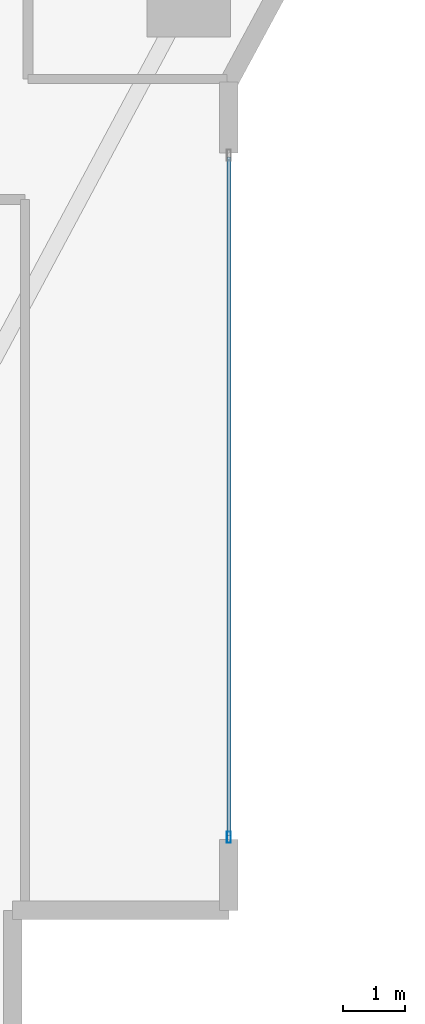
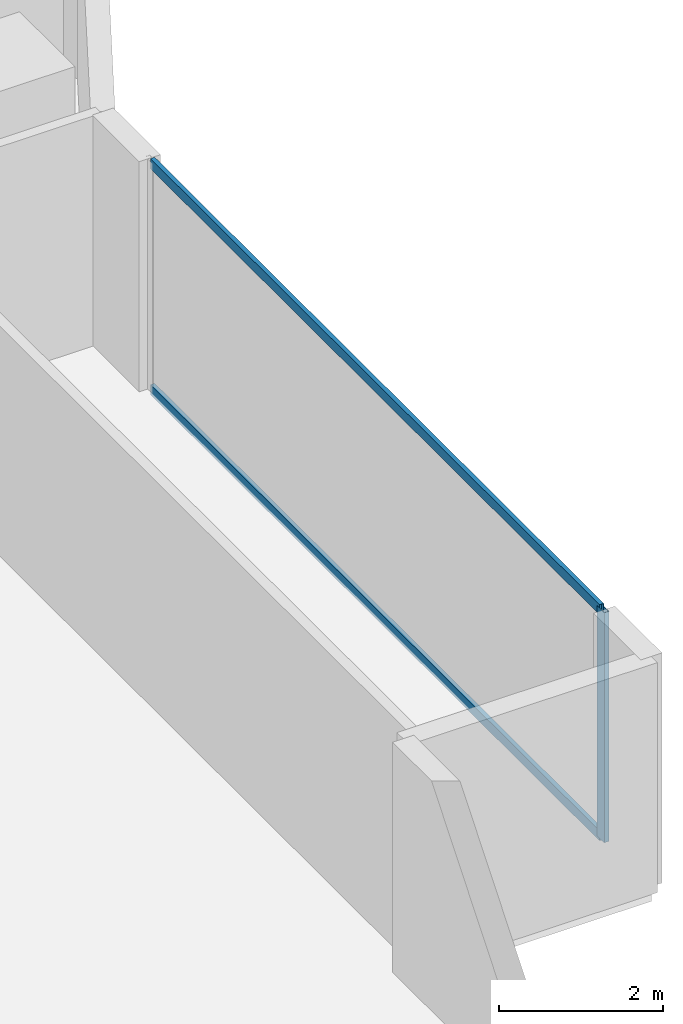
# One storey, part 11 of 28: 3 members, 1 element without a shape of its own.
"""IFC4 building model written with IfcOpenShell, lengths in metres."""

import ifcopenshell
import ifcopenshell.guid

model = None  # the IFC model being written
_history = None  # IfcOwnerHistory: only IFC2X3 demands one
_inside = {}  # id of a spatial element -> (the spatial element, [elements in it])
_under = {}  # id of a project, library or spatial element -> (it, [spatial elements below it])
_declared = {}  # id of a project -> (the project, [libraries it declares])
_typed = {}  # id of a type object -> (the type object, [elements of that type])
_made_of = {}  # id of a material, layer set ... -> (it, [elements and type objects made of it])


def new_model(schema):
    """Start an empty IFC model of exactly this schema.

    Asked for "IFC4X3", IfcOpenShell would pick the latest addendum, in which some entities
    have other attributes; the version numbers below select the first issue.
    IFC2X3 requires an IfcOwnerHistory on every rooted entity: one is made here for all.
    """
    global model, _history
    if schema == "IFC4X3":
        model = ifcopenshell.file(schema_version=(4, 3, 0, 0))
    else:
        model = ifcopenshell.file(schema=schema)
    _inside.clear()
    _under.clear()
    _declared.clear()
    _typed.clear()
    _made_of.clear()
    _history = None
    if model.schema == "IFC2X3":
        org = make("IfcOrganization", Name="unknown")
        user = make(
            "IfcPersonAndOrganization",
            ThePerson=make("IfcPerson", FamilyName="unknown"),
            TheOrganization=org,
        )
        app = make(
            "IfcApplication",
            ApplicationDeveloper=org,
            Version="unknown",
            ApplicationFullName="unknown",
            ApplicationIdentifier="unknown",
        )
        _history = make(
            "IfcOwnerHistory",
            OwningUser=user,
            OwningApplication=app,
            ChangeAction="ADDED",
            CreationDate=0,
        )
    return model


def make(cls, **values):
    """One entity of the class cls with the attributes given. An attribute that is None is left unset."""
    return model.create_entity(
        cls, **{name: value for name, value in values.items() if value is not None}
    )


def rooted(cls, **values):
    """An entity with a GlobalId (a new one), such as an element, a storey or a relation."""
    return make(cls, GlobalId=ifcopenshell.guid.new(), OwnerHistory=_history, **values)


def si_unit(unit_type, name, prefix=None):
    """IfcSIUnit, for example si_unit("LENGTHUNIT", "METRE", prefix="MILLI")."""
    return make("IfcSIUnit", UnitType=unit_type, Prefix=prefix, Name=name)


def assignment(units):
    """IfcUnitAssignment: the units of a project."""
    return None if units is None else make("IfcUnitAssignment", Units=units)


def point(xyz):
    """IfcCartesianPoint."""
    return None if xyz is None else make("IfcCartesianPoint", Coordinates=xyz)


def direction(xyz):
    """IfcDirection."""
    return None if xyz is None else make("IfcDirection", DirectionRatios=xyz)


def frame(location, z_axis=None, x_axis=None):
    """IfcAxis2Placement3D, a coordinate frame: its origin and axes. An axis left out is left unset."""
    return make(
        "IfcAxis2Placement3D",
        Location=point(location),
        Axis=direction(z_axis),
        RefDirection=direction(x_axis),
    )


def frame_2d(location, x_axis=None):
    """IfcAxis2Placement2D, a coordinate frame in the plane: its origin and x axis."""
    return make(
        "IfcAxis2Placement2D", Location=point(location), RefDirection=direction(x_axis)
    )


def origin():
    """The frame at (0, 0, 0) with its axes left unset."""
    return frame((0.0, 0.0, 0.0))


def origin_2d():
    """The frame at (0, 0) in the plane with its x axis left unset."""
    return frame_2d((0.0, 0.0))


def place(relative_to, where):
    """IfcLocalPlacement: puts the frame where relative to a parent placement (None: the world)."""
    return make(
        "IfcLocalPlacement", PlacementRelTo=relative_to, RelativePlacement=where
    )


def context(
    kind, dimensions, precision=None, world=None, true_north=None, identifier=None
):
    """IfcGeometricRepresentationContext, for example the 3D "Model" context."""
    return make(
        "IfcGeometricRepresentationContext",
        ContextIdentifier=identifier,
        ContextType=kind,
        CoordinateSpaceDimension=dimensions,
        Precision=precision,
        WorldCoordinateSystem=world,
        TrueNorth=true_north,
    )


def subcontext(parent, identifier, kind, view, scale=None):
    """IfcGeometricRepresentationSubContext, for example "Body" below "Model"."""
    return make(
        "IfcGeometricRepresentationSubContext",
        ContextIdentifier=identifier,
        ContextType=kind,
        ParentContext=parent,
        TargetScale=scale,
        TargetView=view,
    )


def project(units=None, contexts=None):
    """IfcProject with its units and contexts."""
    return rooted(
        "IfcProject",
        Name="project",
        RepresentationContexts=contexts,
        UnitsInContext=assignment(units),
    )


def spatial(cls, under=None, at=None, **own):
    """A site, building, storey or space (cls), placed at a placement, below another one or the project."""
    s = rooted(cls, ObjectPlacement=at, **own)
    if under is not None:
        _under.setdefault(under.id(), (under, []))[1].append(s)
    return s


def profile(cls, at=None, kind="AREA", **sizes):
    """A parametric profile (cls). Its sizes go by their IFC names, for example OverallWidth=200.0."""
    return make(cls, ProfileType=kind, Position=at, **sizes)


def hollow_rectangle(**sizes):
    """IfcRectangleHollowProfileDef."""
    return profile("IfcRectangleHollowProfileDef", **sizes)


def extrude(swept, where, along, depth):
    """IfcExtrudedAreaSolid: the profile swept, set in the frame where, extruded along a direction by depth."""
    return make(
        "IfcExtrudedAreaSolid",
        SweptArea=swept,
        Position=where,
        ExtrudedDirection=direction(along),
        Depth=depth,
    )


def shape(context_of_items, identifier, shape_type, items):
    """IfcShapeRepresentation: the items that make up one representation, for example the "Body"."""
    return make(
        "IfcShapeRepresentation",
        ContextOfItems=context_of_items,
        RepresentationIdentifier=identifier,
        RepresentationType=shape_type,
        Items=items,
    )


def material(Name=None, Category=None):
    """IfcMaterial."""
    return make("IfcMaterial", Name=Name, Category=Category)


def layer(
    of_material, thickness, ventilated=None, Name=None, Category=None, Priority=None
):
    """IfcMaterialLayer: one layer of a wall or slab, of a material (None: an air gap)."""
    return make(
        "IfcMaterialLayer",
        Material=of_material,
        LayerThickness=thickness,
        IsVentilated=ventilated,
        Name=Name,
        Category=Category,
        Priority=Priority,
    )


def layer_set(layers, Name=None):
    """IfcMaterialLayerSet."""
    return make("IfcMaterialLayerSet", MaterialLayers=layers, LayerSetName=Name)


def material_profile(
    of_material, cross_section, Name=None, Category=None, Priority=None
):
    """IfcMaterialProfile: a cross section and its material."""
    return make(
        "IfcMaterialProfile",
        Name=Name,
        Material=of_material,
        Profile=cross_section,
        Priority=Priority,
        Category=Category,
    )


def profile_set(profiles, Name=None, composite=None):
    """IfcMaterialProfileSet."""
    return make(
        "IfcMaterialProfileSet",
        Name=Name,
        MaterialProfiles=profiles,
        CompositeProfile=composite,
    )


def made_of(thing, what):
    """Note that an element or type object is made of a material, layer set ...; save() writes the relation."""
    if what is not None:
        _made_of.setdefault(what.id(), (what, []))[1].append(thing)
    return thing


def type_object(cls, material=None, **own):
    """A type object (cls), such as IfcWallType, which elements share."""
    return made_of(rooted(cls, **own), material)


def element(
    cls,
    number,
    at=None,
    inside=None,
    cuts=None,
    type_object=None,
    material=None,
    context=None,
    identifier="Body",
    shape_type=None,
    held_by="IfcProductDefinitionShape",
    body=None,
    shapes=None,
    **own,
):
    """One element of the class cls, such as IfcWall. Its Tag is "e" and its number.

    at: its placement. inside: the storey or other place that contains it. cuts: it is an
    opening in that element (IfcRelVoidsElement). A single representation is given by context,
    identifier, shape_type and body (its items); several are given by shapes. held_by: the class
    of the entity that holds the representations. save() writes the other relations.
    """
    e = rooted(cls, Tag="e%d" % number, ObjectPlacement=at, **own)
    if body is not None:
        shapes = [shape(context, identifier, shape_type, body)]
    if shapes is not None:
        e.Representation = make(held_by, Representations=shapes)
    if inside is not None:
        _inside.setdefault(inside.id(), (inside, []))[1].append(e)
    if cuts is not None:
        rooted(
            "IfcRelVoidsElement", RelatingBuildingElement=cuts, RelatedOpeningElement=e
        )
    if type_object is not None:
        _typed.setdefault(type_object.id(), (type_object, []))[1].append(e)
    return made_of(e, material)


def aggregate(whole, parts):
    """IfcRelAggregates: a whole, such as a stair, and the parts it consists of."""
    return rooted("IfcRelAggregates", RelatingObject=whole, RelatedObjects=parts)


def save(model, path):
    """Write the relations noted so far, then the file.

    IfcRelAggregates (storeys below a building ...), IfcRelContainedInSpatialStructure (elements
    in a storey), IfcRelDefinesByType, IfcRelAssociatesMaterial and IfcRelDeclares: one each for
    every whole, place, type object, material and project.
    """
    for whole, parts in _under.values():
        aggregate(whole, parts)
    for where, things in _inside.values():
        rooted(
            "IfcRelContainedInSpatialStructure",
            RelatedElements=things,
            RelatingStructure=where,
        )
    for kind, things in _typed.values():
        rooted("IfcRelDefinesByType", RelatedObjects=things, RelatingType=kind)
    for what, things in _made_of.values():
        rooted("IfcRelAssociatesMaterial", RelatedObjects=things, RelatingMaterial=what)
    for by, libraries in _declared.values():
        rooted("IfcRelDeclares", RelatingContext=by, RelatedDefinitions=libraries)
    model.write(path)


model = new_model("IFC4")

# Units and contexts
model_context = context("Model", 3, precision=1e-05, world=origin(), true_north=direction((0.0, 1.0)))
body_context = subcontext(model_context, "Body", "Model", "MODEL_VIEW")
ifc_project = project(units=[si_unit("LENGTHUNIT", "METRE"), si_unit("AREAUNIT", "SQUARE_METRE"), si_unit("VOLUMEUNIT", "CUBIC_METRE"), si_unit("PLANEANGLEUNIT", "RADIAN"), si_unit("MASSUNIT", "GRAM", prefix="KILO")], contexts=[model_context])

# Site, building, storey
site_placement = place(None, origin())
site = spatial("IfcSite", under=ifc_project, at=site_placement, CompositionType="ELEMENT")
building_placement = place(site_placement, origin())
building = spatial("IfcBuilding", under=site, at=building_placement, Name="Zuhayl Quay Hotel", CompositionType="ELEMENT")
storey_placement = place(building_placement, frame((0.0, 0.0, 146.75)))
storey = spatial("IfcBuildingStorey", under=building, at=storey_placement, Name="L37", CompositionType="ELEMENT", Elevation=146.75)

# Curtain wall, members
ifc_material_1 = material(Name="Anodised Aluminium 6063-T6", Category="aluminium")
ifc_layer = layer(ifc_material_1, 0.179931640625, Name="Anodised Aluminium 6063-T6", Category="aluminium")
ifc_layer_set = layer_set([ifc_layer], Name="Anodised Aluminium 6063-T6")
curtain_wall_type = type_object("IfcCurtainWallType", Name="CW_SYS_Z2", PredefinedType="USERDEFINED", material=ifc_layer_set)
curtain_wall_placement = place(storey_placement, origin())
curtain_wall = element("IfcCurtainWall", 1, at=curtain_wall_placement, inside=storey, type_object=curtain_wall_type, Name="L37 Curtain Wall ENV_L37_E14_CW1", ObjectType="UNITISED CURTAIN WALL", PredefinedType="USERDEFINED")
ifc_material_2 = material(Name="Black-anodised aluminium 6063-T6", Category="aluminium")
ifc_material_profile_1 = material_profile(ifc_material_2, hollow_rectangle(XDim=0.06494140625, YDim=0.179931640625, WallThickness=0.00341796875, at=origin_2d()), Name="ALU180X65")
ifc_profile_set_1 = profile_set([ifc_material_profile_1], Name="Black-anodised aluminium 6063-T6")
member_type_1 = type_object("IfcMemberType", Name="MB_CW_MUL_180", PredefinedType="MULLION", material=ifc_profile_set_1)
member_1_placement = place(storey_placement, frame((23.89990234375, -10.717529296875, 0.0), z_axis=(0.0, 0.0, 1.0), x_axis=(1.0, 0.0, 0.0)))
member_1 = element("IfcMember", 2, at=member_1_placement, type_object=member_type_1, Name="CW-Z2 mullion 2", PredefinedType="MULLION", context=body_context, shape_type="SweptSolid", body=[
    extrude(hollow_rectangle(XDim=0.06494140625, YDim=0.179931640625, WallThickness=0.00341796875, at=origin_2d()), origin(), (0.0, 0.0, 1.0), 3.429931640625),
])
ifc_material_profile_2 = material_profile(ifc_material_2, hollow_rectangle(XDim=0.06005859375, YDim=0.14990234375, WallThickness=0.00341796875, at=origin_2d()), Name="ALU150X60")
ifc_profile_set_2 = profile_set([ifc_material_profile_2], Name="Black-anodised aluminium 6063-T6")
member_type_2 = type_object("IfcMemberType", Name="MB_CW_TRN_150", PredefinedType="USERDEFINED", material=ifc_profile_set_2)
member_2_placement = place(storey_placement, frame((23.89990234375, 0.284912109375, 0.030029296875), z_axis=(0.0, -1.0, 0.0), x_axis=(1.0, 0.0, 0.0)))
member_2 = element("IfcMember", 3, at=member_2_placement, type_object=member_type_2, Name="CW-Z2 transom 1.1", ObjectType="TRANSOM", PredefinedType="USERDEFINED", context=body_context, shape_type="SweptSolid", body=[
    extrude(hollow_rectangle(XDim=0.06005859375, YDim=0.14990234375, WallThickness=0.00341796875, at=origin_2d()), origin(), (0.0, 0.0, 1.0), 10.969970703125),
])
member_3_placement = place(storey_placement, frame((23.89990234375, 0.284912109375, 3.39990234375), z_axis=(0.0, -1.0, 0.0), x_axis=(1.0, 0.0, 0.0)))
member_3 = element("IfcMember", 4, at=member_3_placement, type_object=member_type_2, Name="CW-Z2 transom 1.2", ObjectType="TRANSOM", PredefinedType="USERDEFINED", context=body_context, shape_type="SweptSolid", body=[
    extrude(hollow_rectangle(XDim=0.06005859375, YDim=0.14990234375, WallThickness=0.00341796875, at=origin_2d()), origin(), (0.0, 0.0, 1.0), 10.969970703125),
])
aggregate(curtain_wall, [member_1, member_2, member_3])

save(model, "model.ifc")
